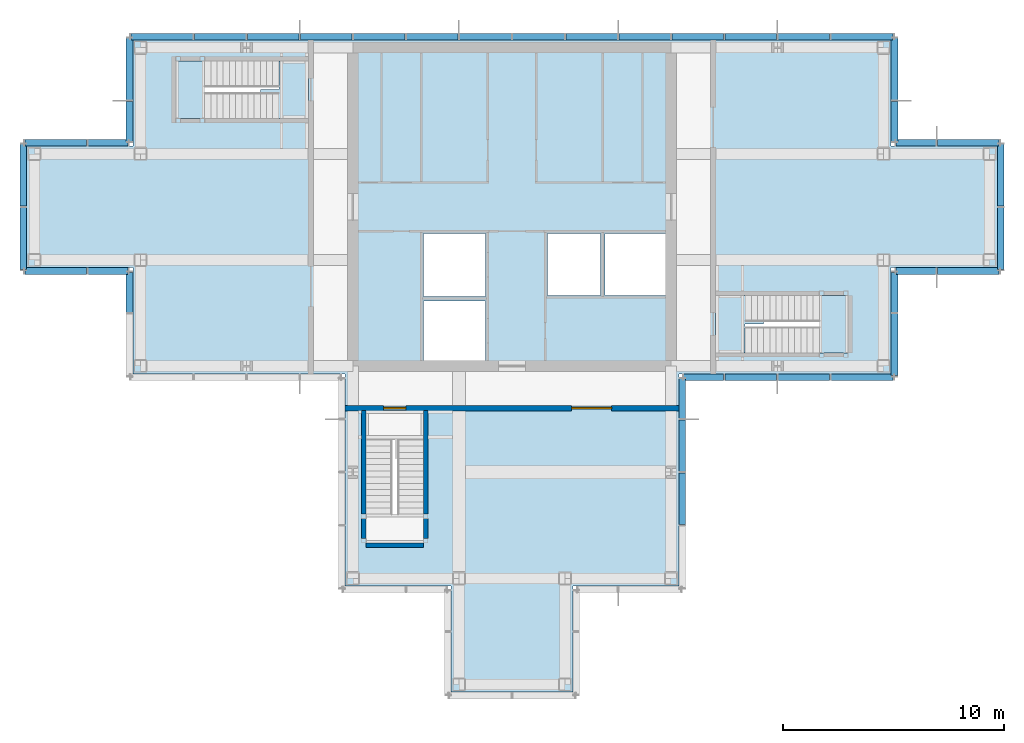
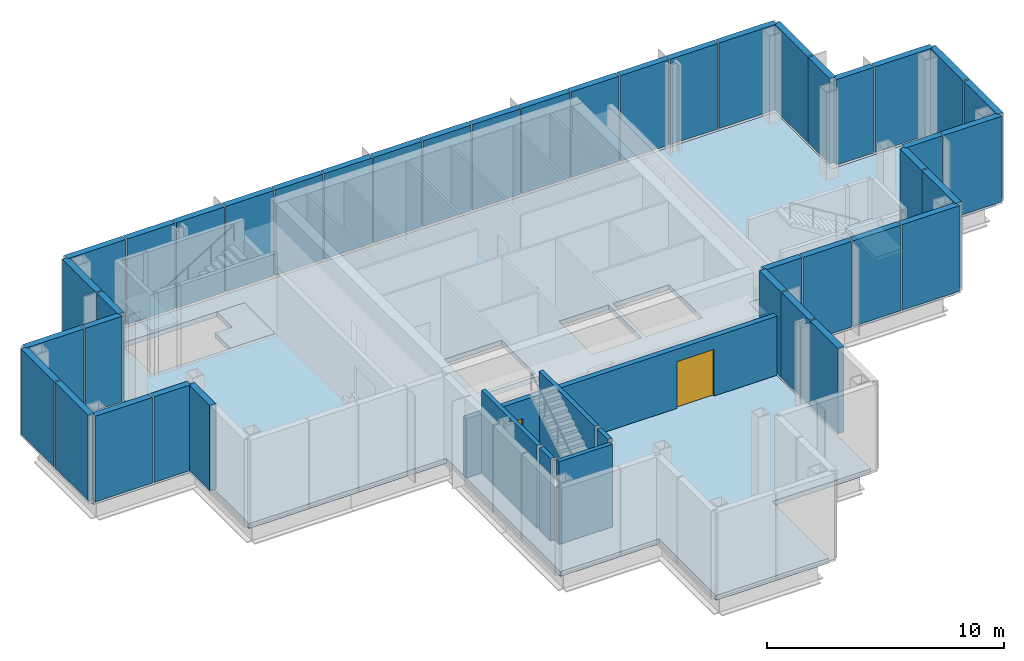
# One storey, part 9 of 12: 40 plates, 6 walls, 5 slabs, 2 doors, 2 openings, 15 elements without a shape of their own.
"""IFC4 building model written with IfcOpenShell, lengths in metres."""

import ifcopenshell
import ifcopenshell.guid

model = None  # the IFC model being written
_history = None  # IfcOwnerHistory: only IFC2X3 demands one
_inside = {}  # id of a spatial element -> (the spatial element, [elements in it])
_under = {}  # id of a project, library or spatial element -> (it, [spatial elements below it])
_declared = {}  # id of a project -> (the project, [libraries it declares])
_typed = {}  # id of a type object -> (the type object, [elements of that type])
_made_of = {}  # id of a material, layer set ... -> (it, [elements and type objects made of it])


def new_model(schema):
    """Start an empty IFC model of exactly this schema.

    Asked for "IFC4X3", IfcOpenShell would pick the latest addendum, in which some entities
    have other attributes; the version numbers below select the first issue.
    IFC2X3 requires an IfcOwnerHistory on every rooted entity: one is made here for all.
    """
    global model, _history
    if schema == "IFC4X3":
        model = ifcopenshell.file(schema_version=(4, 3, 0, 0))
    else:
        model = ifcopenshell.file(schema=schema)
    _inside.clear()
    _under.clear()
    _declared.clear()
    _typed.clear()
    _made_of.clear()
    _history = None
    if model.schema == "IFC2X3":
        org = make("IfcOrganization", Name="unknown")
        user = make(
            "IfcPersonAndOrganization",
            ThePerson=make("IfcPerson", FamilyName="unknown"),
            TheOrganization=org,
        )
        app = make(
            "IfcApplication",
            ApplicationDeveloper=org,
            Version="unknown",
            ApplicationFullName="unknown",
            ApplicationIdentifier="unknown",
        )
        _history = make(
            "IfcOwnerHistory",
            OwningUser=user,
            OwningApplication=app,
            ChangeAction="ADDED",
            CreationDate=0,
        )
    return model


def make(cls, **values):
    """One entity of the class cls with the attributes given. An attribute that is None is left unset."""
    return model.create_entity(
        cls, **{name: value for name, value in values.items() if value is not None}
    )


def rooted(cls, **values):
    """An entity with a GlobalId (a new one), such as an element, a storey or a relation."""
    return make(cls, GlobalId=ifcopenshell.guid.new(), OwnerHistory=_history, **values)


def si_unit(unit_type, name, prefix=None):
    """IfcSIUnit, for example si_unit("LENGTHUNIT", "METRE", prefix="MILLI")."""
    return make("IfcSIUnit", UnitType=unit_type, Prefix=prefix, Name=name)


def assignment(units):
    """IfcUnitAssignment: the units of a project."""
    return None if units is None else make("IfcUnitAssignment", Units=units)


def point(xyz):
    """IfcCartesianPoint."""
    return None if xyz is None else make("IfcCartesianPoint", Coordinates=xyz)


def direction(xyz):
    """IfcDirection."""
    return None if xyz is None else make("IfcDirection", DirectionRatios=xyz)


def frame(location, z_axis=None, x_axis=None):
    """IfcAxis2Placement3D, a coordinate frame: its origin and axes. An axis left out is left unset."""
    return make(
        "IfcAxis2Placement3D",
        Location=point(location),
        Axis=direction(z_axis),
        RefDirection=direction(x_axis),
    )


def frame_2d(location, x_axis=None):
    """IfcAxis2Placement2D, a coordinate frame in the plane: its origin and x axis."""
    return make(
        "IfcAxis2Placement2D", Location=point(location), RefDirection=direction(x_axis)
    )


def origin():
    """The frame at (0, 0, 0) with its axes left unset."""
    return frame((0.0, 0.0, 0.0))


def origin_2d():
    """The frame at (0, 0) in the plane with its x axis left unset."""
    return frame_2d((0.0, 0.0))


def place(relative_to, where):
    """IfcLocalPlacement: puts the frame where relative to a parent placement (None: the world)."""
    return make(
        "IfcLocalPlacement", PlacementRelTo=relative_to, RelativePlacement=where
    )


def context(
    kind, dimensions, precision=None, world=None, true_north=None, identifier=None
):
    """IfcGeometricRepresentationContext, for example the 3D "Model" context."""
    return make(
        "IfcGeometricRepresentationContext",
        ContextIdentifier=identifier,
        ContextType=kind,
        CoordinateSpaceDimension=dimensions,
        Precision=precision,
        WorldCoordinateSystem=world,
        TrueNorth=true_north,
    )


def subcontext(parent, identifier, kind, view, scale=None):
    """IfcGeometricRepresentationSubContext, for example "Body" below "Model"."""
    return make(
        "IfcGeometricRepresentationSubContext",
        ContextIdentifier=identifier,
        ContextType=kind,
        ParentContext=parent,
        TargetScale=scale,
        TargetView=view,
    )


def project(units=None, contexts=None):
    """IfcProject with its units and contexts."""
    return rooted(
        "IfcProject",
        Name="project",
        RepresentationContexts=contexts,
        UnitsInContext=assignment(units),
    )


def spatial(cls, under=None, at=None, **own):
    """A site, building, storey or space (cls), placed at a placement, below another one or the project."""
    s = rooted(cls, ObjectPlacement=at, **own)
    if under is not None:
        _under.setdefault(under.id(), (under, []))[1].append(s)
    return s


def polyline(points):
    """IfcPolyline through the points."""
    return make("IfcPolyline", Points=[point(p) for p in points])


def profile(cls, at=None, kind="AREA", **sizes):
    """A parametric profile (cls). Its sizes go by their IFC names, for example OverallWidth=200.0."""
    return make(cls, ProfileType=kind, Position=at, **sizes)


def rectangle(**sizes):
    """IfcRectangleProfileDef."""
    return profile("IfcRectangleProfileDef", **sizes)


def outline(outer, holes=None, kind="AREA"):
    """IfcArbitraryClosedProfileDef: a profile drawn as a closed curve; with holes, ...WithVoids."""
    if holes is None:
        return make("IfcArbitraryClosedProfileDef", ProfileType=kind, OuterCurve=outer)
    return make(
        "IfcArbitraryProfileDefWithVoids",
        ProfileType=kind,
        OuterCurve=outer,
        InnerCurves=holes,
    )


def extrude(swept, where, along, depth):
    """IfcExtrudedAreaSolid: the profile swept, set in the frame where, extruded along a direction by depth."""
    return make(
        "IfcExtrudedAreaSolid",
        SweptArea=swept,
        Position=where,
        ExtrudedDirection=direction(along),
        Depth=depth,
    )


def shape(context_of_items, identifier, shape_type, items):
    """IfcShapeRepresentation: the items that make up one representation, for example the "Body"."""
    return make(
        "IfcShapeRepresentation",
        ContextOfItems=context_of_items,
        RepresentationIdentifier=identifier,
        RepresentationType=shape_type,
        Items=items,
    )


def material(Name=None, Category=None):
    """IfcMaterial."""
    return make("IfcMaterial", Name=Name, Category=Category)


def layer(
    of_material, thickness, ventilated=None, Name=None, Category=None, Priority=None
):
    """IfcMaterialLayer: one layer of a wall or slab, of a material (None: an air gap)."""
    return make(
        "IfcMaterialLayer",
        Material=of_material,
        LayerThickness=thickness,
        IsVentilated=ventilated,
        Name=Name,
        Category=Category,
        Priority=Priority,
    )


def layer_set(layers, Name=None):
    """IfcMaterialLayerSet."""
    return make("IfcMaterialLayerSet", MaterialLayers=layers, LayerSetName=Name)


def made_of(thing, what):
    """Note that an element or type object is made of a material, layer set ...; save() writes the relation."""
    if what is not None:
        _made_of.setdefault(what.id(), (what, []))[1].append(thing)
    return thing


def type_object(cls, material=None, **own):
    """A type object (cls), such as IfcWallType, which elements share."""
    return made_of(rooted(cls, **own), material)


def element(
    cls,
    number,
    at=None,
    inside=None,
    cuts=None,
    type_object=None,
    material=None,
    context=None,
    identifier="Body",
    shape_type=None,
    held_by="IfcProductDefinitionShape",
    body=None,
    shapes=None,
    **own,
):
    """One element of the class cls, such as IfcWall. Its Tag is "e" and its number.

    at: its placement. inside: the storey or other place that contains it. cuts: it is an
    opening in that element (IfcRelVoidsElement). A single representation is given by context,
    identifier, shape_type and body (its items); several are given by shapes. held_by: the class
    of the entity that holds the representations. save() writes the other relations.
    """
    e = rooted(cls, Tag="e%d" % number, ObjectPlacement=at, **own)
    if body is not None:
        shapes = [shape(context, identifier, shape_type, body)]
    if shapes is not None:
        e.Representation = make(held_by, Representations=shapes)
    if inside is not None:
        _inside.setdefault(inside.id(), (inside, []))[1].append(e)
    if cuts is not None:
        rooted(
            "IfcRelVoidsElement", RelatingBuildingElement=cuts, RelatedOpeningElement=e
        )
    if type_object is not None:
        _typed.setdefault(type_object.id(), (type_object, []))[1].append(e)
    return made_of(e, material)


def fill(opening, filler):
    """IfcRelFillsElement: the door or window that sits in an opening."""
    return rooted(
        "IfcRelFillsElement",
        RelatingOpeningElement=opening,
        RelatedBuildingElement=filler,
    )


def aggregate(whole, parts):
    """IfcRelAggregates: a whole, such as a stair, and the parts it consists of."""
    return rooted("IfcRelAggregates", RelatingObject=whole, RelatedObjects=parts)


def save(model, path):
    """Write the relations noted so far, then the file.

    IfcRelAggregates (storeys below a building ...), IfcRelContainedInSpatialStructure (elements
    in a storey), IfcRelDefinesByType, IfcRelAssociatesMaterial and IfcRelDeclares: one each for
    every whole, place, type object, material and project.
    """
    for whole, parts in _under.values():
        aggregate(whole, parts)
    for where, things in _inside.values():
        rooted(
            "IfcRelContainedInSpatialStructure",
            RelatedElements=things,
            RelatingStructure=where,
        )
    for kind, things in _typed.values():
        rooted("IfcRelDefinesByType", RelatedObjects=things, RelatingType=kind)
    for what, things in _made_of.values():
        rooted("IfcRelAssociatesMaterial", RelatedObjects=things, RelatingMaterial=what)
    for by, libraries in _declared.values():
        rooted("IfcRelDeclares", RelatingContext=by, RelatedDefinitions=libraries)
    model.write(path)


model = new_model("IFC4")

# Units and contexts
model_context = context("Model", 3, precision=1e-05, world=origin(), true_north=direction((0.0, 1.0)))
body_context = subcontext(model_context, "Body", "Model", "MODEL_VIEW")
ifc_project = project(units=[si_unit("LENGTHUNIT", "METRE"), si_unit("AREAUNIT", "SQUARE_METRE"), si_unit("VOLUMEUNIT", "CUBIC_METRE"), si_unit("PLANEANGLEUNIT", "RADIAN"), si_unit("MASSUNIT", "GRAM", prefix="KILO")], contexts=[model_context])

# Site, building, storey
site_placement = place(None, origin())
site = spatial("IfcSite", under=ifc_project, at=site_placement, CompositionType="ELEMENT")
building_placement = place(site_placement, origin())
building = spatial("IfcBuilding", under=site, at=building_placement, Name="Kvirike Care Tower", CompositionType="ELEMENT")
storey_placement = place(building_placement, frame((0.0, 0.0, 243.5)))
storey = spatial("IfcBuildingStorey", under=building, at=storey_placement, Name="L67", CompositionType="ELEMENT", Elevation=243.5)

# Curtain wall, plates
ifc_material_1 = material(Name="Anodised aluminium stick system", Category="aluminium")
curtain_wall_type = type_object("IfcCurtainWallType", Name="CW-L LOUVRED PLANT SCREEN", PredefinedType="NOTDEFINED", material=ifc_material_1)
curtain_wall_1_placement = place(storey_placement, origin())
curtain_wall_1 = element("IfcCurtainWall", 1, at=curtain_wall_1_placement, inside=storey, type_object=curtain_wall_type, Name="Curtain wall L67 face 1", PredefinedType="NOTDEFINED")
ifc_material_2 = material(Name="Bronze anodised aluminium louvre", Category="aluminium")
ifc_layer_1 = layer(ifc_material_2, 0.300048828125)
ifc_layer_set_1 = layer_set([ifc_layer_1], Name="BRONZE LOUVRE PANEL")
plate_type = type_object("IfcPlateType", Name="BRONZE LOUVRE PANEL", PredefinedType="CURTAIN_PANEL", material=ifc_layer_set_1)
plate_1_placement = place(storey_placement, frame((30.266357421875, 28.300048828125, 0.10009765625), z_axis=(0.0, 0.0, 1.0), x_axis=(1.0, 0.0, 0.0)))
plate_1 = element("IfcPlate", 2, at=plate_1_placement, type_object=plate_type, Name="CW-L panel L67 face 1.1", PredefinedType="CURTAIN_PANEL", context=body_context, shape_type="SweptSolid", body=[
    extrude(rectangle(XDim=1.802490234375, YDim=0.300048828125, at=origin_2d()), origin(), (0.0, 0.0, 1.0), 4.39990234375),
])
plate_2_placement = place(storey_placement, frame((32.39990234375, 28.300048828125, 0.10009765625), z_axis=(0.0, 0.0, 1.0), x_axis=(1.0, 0.0, 0.0)))
plate_2 = element("IfcPlate", 3, at=plate_2_placement, type_object=plate_type, Name="CW-L panel L67 face 1.2", PredefinedType="CURTAIN_PANEL", context=body_context, shape_type="SweptSolid", body=[
    extrude(rectangle(XDim=2.3349609375, YDim=0.300048828125, at=origin_2d()), origin(), (0.0, 0.0, 1.0), 4.39990234375),
])
plate_3_placement = place(storey_placement, frame((34.800048828125, 28.300048828125, 0.10009765625), z_axis=(0.0, 0.0, 1.0), x_axis=(1.0, 0.0, 0.0)))
plate_3 = element("IfcPlate", 4, at=plate_3_placement, type_object=plate_type, Name="CW-L panel L67 face 1.3", PredefinedType="CURTAIN_PANEL", context=body_context, shape_type="SweptSolid", body=[
    extrude(rectangle(XDim=2.3349609375, YDim=0.300048828125, at=origin_2d()), origin(), (0.0, 0.0, 1.0), 4.39990234375),
])
plate_4_placement = place(storey_placement, frame((37.433837890625, 28.300048828125, 0.10009765625), z_axis=(0.0, 0.0, 1.0), x_axis=(1.0, 0.0, 0.0)))
plate_4 = element("IfcPlate", 5, at=plate_4_placement, type_object=plate_type, Name="CW-L panel L67 face 1.4", PredefinedType="CURTAIN_PANEL", context=body_context, shape_type="SweptSolid", body=[
    extrude(rectangle(XDim=2.802490234375, YDim=0.300048828125, at=origin_2d()), origin(), (0.0, 0.0, 1.0), 4.39990234375),
])
aggregate(curtain_wall_1, [plate_1, plate_2, plate_3, plate_4])

curtain_wall_2_placement = place(storey_placement, origin())
curtain_wall_2 = element("IfcCurtainWall", 6, at=curtain_wall_2_placement, inside=storey, type_object=curtain_wall_type, Name="Curtain wall L67 face 2", PredefinedType="NOTDEFINED")
plate_5_placement = place(storey_placement, frame((38.89990234375, 29.766357421875, 0.10009765625), z_axis=(0.0, 0.0, 1.0), x_axis=(0.0, 1.0, 0.0)))
plate_5 = element("IfcPlate", 7, at=plate_5_placement, type_object=plate_type, Name="CW-L panel L67 face 2.1", PredefinedType="CURTAIN_PANEL", context=body_context, shape_type="SweptSolid", body=[
    extrude(rectangle(XDim=2.802490234375, YDim=0.300048828125, at=origin_2d()), origin(), (0.0, 0.0, 1.0), 4.39990234375),
])
plate_6_placement = place(storey_placement, frame((38.89990234375, 32.1337890625, 0.10009765625), z_axis=(0.0, 0.0, 1.0), x_axis=(0.0, 1.0, 0.0)))
plate_6 = element("IfcPlate", 8, at=plate_6_placement, type_object=plate_type, Name="CW-L panel L67 face 2.2", PredefinedType="CURTAIN_PANEL", context=body_context, shape_type="SweptSolid", body=[
    extrude(rectangle(XDim=1.802490234375, YDim=0.300048828125, at=origin_2d()), origin(), (0.0, 0.0, 1.0), 4.39990234375),
])
aggregate(curtain_wall_2, [plate_5, plate_6])

curtain_wall_3_placement = place(storey_placement, origin())
curtain_wall_3 = element("IfcCurtainWall", 9, at=curtain_wall_3_placement, inside=storey, type_object=curtain_wall_type, Name="Curtain wall L67 face 3", PredefinedType="NOTDEFINED")
plate_7_placement = place(storey_placement, frame((39.8662109375, 33.10009765625, 0.10009765625), z_axis=(0.0, 0.0, 1.0), x_axis=(1.0, 0.0, 0.0)))
plate_7 = element("IfcPlate", 10, at=plate_7_placement, type_object=plate_type, Name="CW-L panel L67 face 3.1", PredefinedType="CURTAIN_PANEL", context=body_context, shape_type="SweptSolid", body=[
    extrude(rectangle(XDim=1.802490234375, YDim=0.300048828125, at=origin_2d()), origin(), (0.0, 0.0, 1.0), 4.39990234375),
])
plate_8_placement = place(storey_placement, frame((42.233642578125, 33.10009765625, 0.10009765625), z_axis=(0.0, 0.0, 1.0), x_axis=(1.0, 0.0, 0.0)))
plate_8 = element("IfcPlate", 11, at=plate_8_placement, type_object=plate_type, Name="CW-L panel L67 face 3.2", PredefinedType="CURTAIN_PANEL", context=body_context, shape_type="SweptSolid", body=[
    extrude(rectangle(XDim=2.802490234375, YDim=0.300048828125, at=origin_2d()), origin(), (0.0, 0.0, 1.0), 4.39990234375),
])
aggregate(curtain_wall_3, [plate_7, plate_8])

curtain_wall_4_placement = place(storey_placement, origin())
curtain_wall_4 = element("IfcCurtainWall", 12, at=curtain_wall_4_placement, inside=storey, type_object=curtain_wall_type, Name="Curtain wall L67 face 4", PredefinedType="NOTDEFINED")
plate_9_placement = place(storey_placement, frame((43.699951171875, 34.566162109375, 0.10009765625), z_axis=(0.0, 0.0, 1.0), x_axis=(0.0, 1.0, 0.0)))
plate_9 = element("IfcPlate", 13, at=plate_9_placement, type_object=plate_type, Name="CW-L panel L67 face 4.1", PredefinedType="CURTAIN_PANEL", context=body_context, shape_type="SweptSolid", body=[
    extrude(rectangle(XDim=2.802490234375, YDim=0.300048828125, at=origin_2d()), origin(), (0.0, 0.0, 1.0), 4.39990234375),
])
plate_10_placement = place(storey_placement, frame((43.699951171875, 37.433837890625, 0.10009765625), z_axis=(0.0, 0.0, 1.0), x_axis=(0.0, 1.0, 0.0)))
plate_10 = element("IfcPlate", 14, at=plate_10_placement, type_object=plate_type, Name="CW-L panel L67 face 4.2", PredefinedType="CURTAIN_PANEL", context=body_context, shape_type="SweptSolid", body=[
    extrude(rectangle(XDim=2.802490234375, YDim=0.300048828125, at=origin_2d()), origin(), (0.0, 0.0, 1.0), 4.39990234375),
])
aggregate(curtain_wall_4, [plate_9, plate_10])

curtain_wall_5_placement = place(storey_placement, origin())
curtain_wall_5 = element("IfcCurtainWall", 15, at=curtain_wall_5_placement, inside=storey, type_object=curtain_wall_type, Name="Curtain wall L67 face 5", PredefinedType="NOTDEFINED")
plate_11_placement = place(storey_placement, frame((42.233642578125, 38.89990234375, 0.10009765625), z_axis=(0.0, 0.0, 1.0), x_axis=(-1.0, 0.0, 0.0)))
plate_11 = element("IfcPlate", 16, at=plate_11_placement, type_object=plate_type, Name="CW-L panel L67 face 5.1", PredefinedType="CURTAIN_PANEL", context=body_context, shape_type="SweptSolid", body=[
    extrude(rectangle(XDim=2.802490234375, YDim=0.300048828125, at=origin_2d()), origin(), (0.0, 0.0, 1.0), 4.39990234375),
])
plate_12_placement = place(storey_placement, frame((39.8662109375, 38.89990234375, 0.10009765625), z_axis=(0.0, 0.0, 1.0), x_axis=(-1.0, 0.0, 0.0)))
plate_12 = element("IfcPlate", 17, at=plate_12_placement, type_object=plate_type, Name="CW-L panel L67 face 5.2", PredefinedType="CURTAIN_PANEL", context=body_context, shape_type="SweptSolid", body=[
    extrude(rectangle(XDim=1.802490234375, YDim=0.300048828125, at=origin_2d()), origin(), (0.0, 0.0, 1.0), 4.39990234375),
])
aggregate(curtain_wall_5, [plate_11, plate_12])

curtain_wall_6_placement = place(storey_placement, origin())
curtain_wall_6 = element("IfcCurtainWall", 18, at=curtain_wall_6_placement, inside=storey, type_object=curtain_wall_type, Name="Curtain wall L67 face 6", PredefinedType="NOTDEFINED")
plate_13_placement = place(storey_placement, frame((38.89990234375, 39.8662109375, 0.10009765625), z_axis=(0.0, 0.0, 1.0), x_axis=(0.0, 1.0, 0.0)))
plate_13 = element("IfcPlate", 19, at=plate_13_placement, type_object=plate_type, Name="CW-L panel L67 face 6.1", PredefinedType="CURTAIN_PANEL", context=body_context, shape_type="SweptSolid", body=[
    extrude(rectangle(XDim=1.802490234375, YDim=0.300048828125, at=origin_2d()), origin(), (0.0, 0.0, 1.0), 4.39990234375),
])
plate_14_placement = place(storey_placement, frame((38.89990234375, 42.233642578125, 0.10009765625), z_axis=(0.0, 0.0, 1.0), x_axis=(0.0, 1.0, 0.0)))
plate_14 = element("IfcPlate", 20, at=plate_14_placement, type_object=plate_type, Name="CW-L panel L67 face 6.2", PredefinedType="CURTAIN_PANEL", context=body_context, shape_type="SweptSolid", body=[
    extrude(rectangle(XDim=2.802490234375, YDim=0.300048828125, at=origin_2d()), origin(), (0.0, 0.0, 1.0), 4.39990234375),
])
aggregate(curtain_wall_6, [plate_13, plate_14])

curtain_wall_7_placement = place(storey_placement, origin())
curtain_wall_7 = element("IfcCurtainWall", 21, at=curtain_wall_7_placement, inside=storey, type_object=curtain_wall_type, Name="Curtain wall L67 face 7", PredefinedType="NOTDEFINED")
plate_15_placement = place(storey_placement, frame((37.433837890625, 43.699951171875, 0.10009765625), z_axis=(0.0, 0.0, 1.0), x_axis=(-1.0, 0.0, 0.0)))
plate_15 = element("IfcPlate", 22, at=plate_15_placement, type_object=plate_type, Name="CW-L panel L67 face 7.1", PredefinedType="CURTAIN_PANEL", context=body_context, shape_type="SweptSolid", body=[
    extrude(rectangle(XDim=2.802490234375, YDim=0.300048828125, at=origin_2d()), origin(), (0.0, 0.0, 1.0), 4.39990234375),
])
plate_16_placement = place(storey_placement, frame((34.800048828125, 43.699951171875, 0.10009765625), z_axis=(0.0, 0.0, 1.0), x_axis=(-1.0, 0.0, 0.0)))
plate_16 = element("IfcPlate", 23, at=plate_16_placement, type_object=plate_type, Name="CW-L panel L67 face 7.2", PredefinedType="CURTAIN_PANEL", context=body_context, shape_type="SweptSolid", body=[
    extrude(rectangle(XDim=2.3349609375, YDim=0.300048828125, at=origin_2d()), origin(), (0.0, 0.0, 1.0), 4.39990234375),
])
plate_17_placement = place(storey_placement, frame((32.39990234375, 43.699951171875, 0.10009765625), z_axis=(0.0, 0.0, 1.0), x_axis=(-1.0, 0.0, 0.0)))
plate_17 = element("IfcPlate", 24, at=plate_17_placement, type_object=plate_type, Name="CW-L panel L67 face 7.3", PredefinedType="CURTAIN_PANEL", context=body_context, shape_type="SweptSolid", body=[
    extrude(rectangle(XDim=2.3349609375, YDim=0.300048828125, at=origin_2d()), origin(), (0.0, 0.0, 1.0), 4.39990234375),
])
plate_18_placement = place(storey_placement, frame((30.0, 43.699951171875, 0.10009765625), z_axis=(0.0, 0.0, 1.0), x_axis=(-1.0, 0.0, 0.0)))
plate_18 = element("IfcPlate", 25, at=plate_18_placement, type_object=plate_type, Name="CW-L panel L67 face 7.4", PredefinedType="CURTAIN_PANEL", context=body_context, shape_type="SweptSolid", body=[
    extrude(rectangle(XDim=2.3349609375, YDim=0.300048828125, at=origin_2d()), origin(), (0.0, 0.0, 1.0), 4.39990234375),
])
plate_19_placement = place(storey_placement, frame((27.60009765625, 43.699951171875, 0.10009765625), z_axis=(0.0, 0.0, 1.0), x_axis=(-1.0, 0.0, 0.0)))
plate_19 = element("IfcPlate", 26, at=plate_19_placement, type_object=plate_type, Name="CW-L panel L67 face 7.5", PredefinedType="CURTAIN_PANEL", context=body_context, shape_type="SweptSolid", body=[
    extrude(rectangle(XDim=2.3349609375, YDim=0.300048828125, at=origin_2d()), origin(), (0.0, 0.0, 1.0), 4.39990234375),
])
plate_20_placement = place(storey_placement, frame((25.199951171875, 43.699951171875, 0.10009765625), z_axis=(0.0, 0.0, 1.0), x_axis=(-1.0, 0.0, 0.0)))
plate_20 = element("IfcPlate", 27, at=plate_20_placement, type_object=plate_type, Name="CW-L panel L67 face 7.6", PredefinedType="CURTAIN_PANEL", context=body_context, shape_type="SweptSolid", body=[
    extrude(rectangle(XDim=2.3349609375, YDim=0.300048828125, at=origin_2d()), origin(), (0.0, 0.0, 1.0), 4.39990234375),
])
plate_21_placement = place(storey_placement, frame((22.800048828125, 43.699951171875, 0.10009765625), z_axis=(0.0, 0.0, 1.0), x_axis=(-1.0, 0.0, 0.0)))
plate_21 = element("IfcPlate", 28, at=plate_21_placement, type_object=plate_type, Name="CW-L panel L67 face 7.7", PredefinedType="CURTAIN_PANEL", context=body_context, shape_type="SweptSolid", body=[
    extrude(rectangle(XDim=2.3349609375, YDim=0.300048828125, at=origin_2d()), origin(), (0.0, 0.0, 1.0), 4.39990234375),
])
plate_22_placement = place(storey_placement, frame((20.39990234375, 43.699951171875, 0.10009765625), z_axis=(0.0, 0.0, 1.0), x_axis=(-1.0, 0.0, 0.0)))
plate_22 = element("IfcPlate", 29, at=plate_22_placement, type_object=plate_type, Name="CW-L panel L67 face 7.8", PredefinedType="CURTAIN_PANEL", context=body_context, shape_type="SweptSolid", body=[
    extrude(rectangle(XDim=2.3349609375, YDim=0.300048828125, at=origin_2d()), origin(), (0.0, 0.0, 1.0), 4.39990234375),
])
plate_23_placement = place(storey_placement, frame((18.0, 43.699951171875, 0.10009765625), z_axis=(0.0, 0.0, 1.0), x_axis=(-1.0, 0.0, 0.0)))
plate_23 = element("IfcPlate", 30, at=plate_23_placement, type_object=plate_type, Name="CW-L panel L67 face 7.9", PredefinedType="CURTAIN_PANEL", context=body_context, shape_type="SweptSolid", body=[
    extrude(rectangle(XDim=2.3349609375, YDim=0.300048828125, at=origin_2d()), origin(), (0.0, 0.0, 1.0), 4.39990234375),
])
plate_24_placement = place(storey_placement, frame((15.60009765625, 43.699951171875, 0.10009765625), z_axis=(0.0, 0.0, 1.0), x_axis=(-1.0, 0.0, 0.0)))
plate_24 = element("IfcPlate", 31, at=plate_24_placement, type_object=plate_type, Name="CW-L panel L67 face 7.10", PredefinedType="CURTAIN_PANEL", context=body_context, shape_type="SweptSolid", body=[
    extrude(rectangle(XDim=2.3349609375, YDim=0.300048828125, at=origin_2d()), origin(), (0.0, 0.0, 1.0), 4.39990234375),
])
plate_25_placement = place(storey_placement, frame((13.199951171875, 43.699951171875, 0.10009765625), z_axis=(0.0, 0.0, 1.0), x_axis=(-1.0, 0.0, 0.0)))
plate_25 = element("IfcPlate", 32, at=plate_25_placement, type_object=plate_type, Name="CW-L panel L67 face 7.11", PredefinedType="CURTAIN_PANEL", context=body_context, shape_type="SweptSolid", body=[
    extrude(rectangle(XDim=2.3349609375, YDim=0.300048828125, at=origin_2d()), origin(), (0.0, 0.0, 1.0), 4.39990234375),
])
plate_26_placement = place(storey_placement, frame((10.800048828125, 43.699951171875, 0.10009765625), z_axis=(0.0, 0.0, 1.0), x_axis=(-1.0, 0.0, 0.0)))
plate_26 = element("IfcPlate", 33, at=plate_26_placement, type_object=plate_type, Name="CW-L panel L67 face 7.12", PredefinedType="CURTAIN_PANEL", context=body_context, shape_type="SweptSolid", body=[
    extrude(rectangle(XDim=2.3349609375, YDim=0.300048828125, at=origin_2d()), origin(), (0.0, 0.0, 1.0), 4.39990234375),
])
plate_27_placement = place(storey_placement, frame((8.39990234375, 43.699951171875, 0.10009765625), z_axis=(0.0, 0.0, 1.0), x_axis=(-1.0, 0.0, 0.0)))
plate_27 = element("IfcPlate", 34, at=plate_27_placement, type_object=plate_type, Name="CW-L panel L67 face 7.13", PredefinedType="CURTAIN_PANEL", context=body_context, shape_type="SweptSolid", body=[
    extrude(rectangle(XDim=2.3349609375, YDim=0.300048828125, at=origin_2d()), origin(), (0.0, 0.0, 1.0), 4.39990234375),
])
plate_28_placement = place(storey_placement, frame((5.766357421875, 43.699951171875, 0.10009765625), z_axis=(0.0, 0.0, 1.0), x_axis=(-1.0, 0.0, 0.0)))
plate_28 = element("IfcPlate", 35, at=plate_28_placement, type_object=plate_type, Name="CW-L panel L67 face 7.14", PredefinedType="CURTAIN_PANEL", context=body_context, shape_type="SweptSolid", body=[
    extrude(rectangle(XDim=2.802490234375, YDim=0.300048828125, at=origin_2d()), origin(), (0.0, 0.0, 1.0), 4.39990234375),
])
aggregate(curtain_wall_7, [plate_15, plate_16, plate_17, plate_18, plate_19, plate_20, plate_21, plate_22, plate_23, plate_24, plate_25, plate_26, plate_27, plate_28])

curtain_wall_8_placement = place(storey_placement, origin())
curtain_wall_8 = element("IfcCurtainWall", 36, at=curtain_wall_8_placement, inside=storey, type_object=curtain_wall_type, Name="Curtain wall L67 face 8", PredefinedType="NOTDEFINED")
plate_29_placement = place(storey_placement, frame((4.300048828125, 42.233642578125, 0.10009765625), z_axis=(0.0, 0.0, 1.0), x_axis=(0.0, -1.0, 0.0)))
plate_29 = element("IfcPlate", 37, at=plate_29_placement, type_object=plate_type, Name="CW-L panel L67 face 8.1", PredefinedType="CURTAIN_PANEL", context=body_context, shape_type="SweptSolid", body=[
    extrude(rectangle(XDim=2.802490234375, YDim=0.300048828125, at=origin_2d()), origin(), (0.0, 0.0, 1.0), 4.39990234375),
])
plate_30_placement = place(storey_placement, frame((4.300048828125, 39.8662109375, 0.10009765625), z_axis=(0.0, 0.0, 1.0), x_axis=(0.0, -1.0, 0.0)))
plate_30 = element("IfcPlate", 38, at=plate_30_placement, type_object=plate_type, Name="CW-L panel L67 face 8.2", PredefinedType="CURTAIN_PANEL", context=body_context, shape_type="SweptSolid", body=[
    extrude(rectangle(XDim=1.802490234375, YDim=0.300048828125, at=origin_2d()), origin(), (0.0, 0.0, 1.0), 4.39990234375),
])
aggregate(curtain_wall_8, [plate_29, plate_30])

curtain_wall_9_placement = place(storey_placement, origin())
curtain_wall_9 = element("IfcCurtainWall", 39, at=curtain_wall_9_placement, inside=storey, type_object=curtain_wall_type, Name="Curtain wall L67 face 9", PredefinedType="NOTDEFINED")
plate_31_placement = place(storey_placement, frame((3.333740234375, 38.89990234375, 0.10009765625), z_axis=(0.0, 0.0, 1.0), x_axis=(-1.0, 0.0, 0.0)))
plate_31 = element("IfcPlate", 40, at=plate_31_placement, type_object=plate_type, Name="CW-L panel L67 face 9.1", PredefinedType="CURTAIN_PANEL", context=body_context, shape_type="SweptSolid", body=[
    extrude(rectangle(XDim=1.802490234375, YDim=0.300048828125, at=origin_2d()), origin(), (0.0, 0.0, 1.0), 4.39990234375),
])
plate_32_placement = place(storey_placement, frame((0.96630859375, 38.89990234375, 0.10009765625), z_axis=(0.0, 0.0, 1.0), x_axis=(-1.0, 0.0, 0.0)))
plate_32 = element("IfcPlate", 41, at=plate_32_placement, type_object=plate_type, Name="CW-L panel L67 face 9.2", PredefinedType="CURTAIN_PANEL", context=body_context, shape_type="SweptSolid", body=[
    extrude(rectangle(XDim=2.802490234375, YDim=0.300048828125, at=origin_2d()), origin(), (0.0, 0.0, 1.0), 4.39990234375),
])
aggregate(curtain_wall_9, [plate_31, plate_32])

curtain_wall_10_placement = place(storey_placement, origin())
curtain_wall_10 = element("IfcCurtainWall", 42, at=curtain_wall_10_placement, inside=storey, type_object=curtain_wall_type, Name="Curtain wall L67 face 10", PredefinedType="NOTDEFINED")
plate_33_placement = place(storey_placement, frame((-0.5, 37.433837890625, 0.10009765625), z_axis=(0.0, 0.0, 1.0), x_axis=(0.0, -1.0, 0.0)))
plate_33 = element("IfcPlate", 43, at=plate_33_placement, type_object=plate_type, Name="CW-L panel L67 face 10.1", PredefinedType="CURTAIN_PANEL", context=body_context, shape_type="SweptSolid", body=[
    extrude(rectangle(XDim=2.802490234375, YDim=0.300048828125, at=origin_2d()), origin(), (0.0, 0.0, 1.0), 4.39990234375),
])
plate_34_placement = place(storey_placement, frame((-0.5, 34.566162109375, 0.10009765625), z_axis=(0.0, 0.0, 1.0), x_axis=(0.0, -1.0, 0.0)))
plate_34 = element("IfcPlate", 44, at=plate_34_placement, type_object=plate_type, Name="CW-L panel L67 face 10.2", PredefinedType="CURTAIN_PANEL", context=body_context, shape_type="SweptSolid", body=[
    extrude(rectangle(XDim=2.802490234375, YDim=0.300048828125, at=origin_2d()), origin(), (0.0, 0.0, 1.0), 4.39990234375),
])
aggregate(curtain_wall_10, [plate_33, plate_34])

curtain_wall_11_placement = place(storey_placement, origin())
curtain_wall_11 = element("IfcCurtainWall", 45, at=curtain_wall_11_placement, inside=storey, type_object=curtain_wall_type, Name="Curtain wall L67 face 11", PredefinedType="NOTDEFINED")
plate_35_placement = place(storey_placement, frame((0.96630859375, 33.10009765625, 0.10009765625), z_axis=(0.0, 0.0, 1.0), x_axis=(1.0, 0.0, 0.0)))
plate_35 = element("IfcPlate", 46, at=plate_35_placement, type_object=plate_type, Name="CW-L panel L67 face 11.1", PredefinedType="CURTAIN_PANEL", context=body_context, shape_type="SweptSolid", body=[
    extrude(rectangle(XDim=2.802490234375, YDim=0.300048828125, at=origin_2d()), origin(), (0.0, 0.0, 1.0), 4.39990234375),
])
plate_36_placement = place(storey_placement, frame((3.333740234375, 33.10009765625, 0.10009765625), z_axis=(0.0, 0.0, 1.0), x_axis=(1.0, 0.0, 0.0)))
plate_36 = element("IfcPlate", 47, at=plate_36_placement, type_object=plate_type, Name="CW-L panel L67 face 11.2", PredefinedType="CURTAIN_PANEL", context=body_context, shape_type="SweptSolid", body=[
    extrude(rectangle(XDim=1.802490234375, YDim=0.300048828125, at=origin_2d()), origin(), (0.0, 0.0, 1.0), 4.39990234375),
])
aggregate(curtain_wall_11, [plate_35, plate_36])

# Curtain wall, plate
curtain_wall_12_placement = place(storey_placement, origin())
curtain_wall_12 = element("IfcCurtainWall", 48, at=curtain_wall_12_placement, inside=storey, type_object=curtain_wall_type, Name="Curtain wall L67 face 12", PredefinedType="NOTDEFINED")
plate_37_placement = place(storey_placement, frame((4.300048828125, 32.1337890625, 0.10009765625), z_axis=(0.0, 0.0, 1.0), x_axis=(0.0, -1.0, 0.0)))
plate_37 = element("IfcPlate", 49, at=plate_37_placement, type_object=plate_type, Name="CW-L panel L67 face 12.1", PredefinedType="CURTAIN_PANEL", context=body_context, shape_type="SweptSolid", body=[
    extrude(rectangle(XDim=1.802490234375, YDim=0.300048828125, at=origin_2d()), origin(), (0.0, 0.0, 1.0), 4.39990234375),
])
aggregate(curtain_wall_12, [plate_37])

# Curtain wall, plates
curtain_wall_13_placement = place(storey_placement, origin())
curtain_wall_13 = element("IfcCurtainWall", 50, at=curtain_wall_13_placement, inside=storey, type_object=curtain_wall_type, Name="Curtain wall L67 face 20", PredefinedType="NOTDEFINED")
plate_38_placement = place(storey_placement, frame((29.300048828125, 22.800048828125, 0.10009765625), z_axis=(0.0, 0.0, 1.0), x_axis=(0.0, 1.0, 0.0)))
plate_38 = element("IfcPlate", 51, at=plate_38_placement, type_object=plate_type, Name="CW-L panel L67 face 20.2", PredefinedType="CURTAIN_PANEL", context=body_context, shape_type="SweptSolid", body=[
    extrude(rectangle(XDim=2.3349609375, YDim=0.300048828125, at=origin_2d()), origin(), (0.0, 0.0, 1.0), 4.39990234375),
])
plate_39_placement = place(storey_placement, frame((29.300048828125, 25.199951171875, 0.10009765625), z_axis=(0.0, 0.0, 1.0), x_axis=(0.0, 1.0, 0.0)))
plate_39 = element("IfcPlate", 52, at=plate_39_placement, type_object=plate_type, Name="CW-L panel L67 face 20.3", PredefinedType="CURTAIN_PANEL", context=body_context, shape_type="SweptSolid", body=[
    extrude(rectangle(XDim=2.3349609375, YDim=0.300048828125, at=origin_2d()), origin(), (0.0, 0.0, 1.0), 4.39990234375),
])
plate_40_placement = place(storey_placement, frame((29.300048828125, 27.333740234375, 0.10009765625), z_axis=(0.0, 0.0, 1.0), x_axis=(0.0, 1.0, 0.0)))
plate_40 = element("IfcPlate", 53, at=plate_40_placement, type_object=plate_type, Name="CW-L panel L67 face 20.4", PredefinedType="CURTAIN_PANEL", context=body_context, shape_type="SweptSolid", body=[
    extrude(rectangle(XDim=1.802490234375, YDim=0.300048828125, at=origin_2d()), origin(), (0.0, 0.0, 1.0), 4.39990234375),
])
aggregate(curtain_wall_13, [plate_38, plate_39, plate_40])

# Slab
ifc_material_3 = material(Name="Concrete C35/45", Category="concrete")
ifc_layer_2 = layer(ifc_material_3, 0.25)
ifc_layer_set_2 = layer_set([ifc_layer_2], Name="PLANT FLOOR SLAB 250")
slab_type_1 = type_object("IfcSlabType", Name="PLANT FLOOR SLAB 250", PredefinedType="FLOOR", material=ifc_layer_set_2)
slab_1_placement = place(storey_placement, frame((0.0, 0.0, -0.25)))
element("IfcSlab", 54, at=slab_1_placement, inside=storey, type_object=slab_type_1, Name="Floor slab L67", PredefinedType="FLOOR", context=body_context, shape_type="SweptSolid", body=[
    extrude(outline(polyline([(29.14990234375, 28.449951171875), (38.75, 28.449951171875), (38.75, 33.25), (43.550048828125, 33.25), (43.550048828125, 38.75), (38.75, 38.75), (38.75, 43.550048828125), (4.449951171875, 43.550048828125), (4.449951171875, 38.75), (-0.35009765625, 38.75), (-0.35009765625, 33.25), (4.449951171875, 33.25), (4.449951171875, 28.449951171875), (14.050048828125, 28.449951171875), (14.050048828125, 18.85009765625), (18.85009765625, 18.85009765625), (18.85009765625, 14.050048828125), (24.35009765625, 14.050048828125), (24.35009765625, 18.85009765625), (29.14990234375, 18.85009765625), (29.14990234375, 28.449951171875)]), holes=[polyline([(17.60009765625, 29.050048828125), (17.60009765625, 31.75), (20.39990234375, 31.75), (20.39990234375, 29.050048828125), (17.60009765625, 29.050048828125)]), polyline([(17.60009765625, 31.949951171875), (17.60009765625, 34.800048828125), (20.39990234375, 34.800048828125), (20.39990234375, 31.949951171875), (17.60009765625, 31.949951171875)]), polyline([(23.199951171875, 32.0), (23.199951171875, 34.800048828125), (25.60009765625, 34.800048828125), (25.60009765625, 32.0), (23.199951171875, 32.0)]), polyline([(25.800048828125, 32.0), (25.800048828125, 34.800048828125), (28.550048828125, 34.800048828125), (28.550048828125, 32.0), (25.800048828125, 32.0)]), polyline([(12.39990234375, 42.60009765625), (12.39990234375, 40.0), (6.39990234375, 40.0), (6.39990234375, 42.60009765625), (12.39990234375, 42.60009765625)]), polyline([(30.800048828125, 29.39990234375), (30.800048828125, 32.0), (36.800048828125, 32.0), (36.800048828125, 29.39990234375), (30.800048828125, 29.39990234375)]), polyline([(15.0, 26.800048828125), (17.60009765625, 26.800048828125), (17.60009765625, 20.800048828125), (15.0, 20.800048828125), (15.0, 26.800048828125)])]), origin(), (0.0, 0.0, 1.0), 0.25),
])

# Stair, slab
ifc_material_4 = material(Name="Concrete C35/45", Category="concrete")
stair_type = type_object("IfcStairType", Name="STAIR 26 RISERS", PredefinedType="HALF_TURN_STAIR", material=ifc_material_4)
stair_1_placement = place(storey_placement, origin())
stair_1 = element("IfcStair", 55, at=stair_1_placement, inside=storey, type_object=stair_type, Name="Stair 1 L67", PredefinedType="HALF_TURN_STAIR")
ifc_material_5 = material(Name="Concrete C35/45", Category="concrete")
ifc_layer_3 = layer(ifc_material_5, 0.199951171875)
ifc_layer_set_3 = layer_set([ifc_layer_3], Name="STAIR LANDING 200")
slab_type_2 = type_object("IfcSlabType", Name="STAIR LANDING 200", PredefinedType="LANDING", material=ifc_layer_set_3)
slab_2_placement = place(storey_placement, frame((0.0, 0.0, 2.050048828125)))
slab_2 = element("IfcSlab", 56, at=slab_2_placement, type_object=slab_type_2, Name="Stair S1 half landing L67-L68", PredefinedType="LANDING", context=body_context, shape_type="SweptSolid", body=[
    extrude(outline(polyline([(6.39990234375, 42.60009765625), (6.39990234375, 40.0), (7.699951171875, 40.0), (7.699951171875, 42.60009765625), (6.39990234375, 42.60009765625)])), origin(), (0.0, 0.0, 1.0), 0.199951171875),
])

stair_2_placement = place(storey_placement, origin())
stair_2 = element("IfcStair", 57, at=stair_2_placement, inside=storey, type_object=stair_type, Name="Stair 2 L67", PredefinedType="HALF_TURN_STAIR")
slab_3_placement = place(storey_placement, frame((0.0, 0.0, 2.050048828125)))
slab_3 = element("IfcSlab", 58, at=slab_3_placement, type_object=slab_type_2, Name="Stair S2 half landing L67-L68", PredefinedType="LANDING", context=body_context, shape_type="SweptSolid", body=[
    extrude(outline(polyline([(36.800048828125, 29.39990234375), (36.800048828125, 32.0), (35.5, 32.0), (35.5, 29.39990234375), (36.800048828125, 29.39990234375)])), origin(), (0.0, 0.0, 1.0), 0.199951171875),
])

# Slab
ifc_material_6 = material(Name="Concrete C35/45", Category="concrete")
ifc_layer_4 = layer(ifc_material_6, 0.25)
ifc_layer_set_4 = layer_set([ifc_layer_4], Name="STAIR LANDING 250")
slab_type_3 = type_object("IfcSlabType", Name="STAIR LANDING 250", PredefinedType="LANDING", material=ifc_layer_set_4)
slab_4_placement = place(storey_placement, frame((0.0, 0.0, -0.25)))
slab_4 = element("IfcSlab", 59, at=slab_4_placement, type_object=slab_type_3, Name="Stair S1 floor landing L67", PredefinedType="LANDING", context=body_context, shape_type="SweptSolid", body=[
    extrude(outline(polyline([(11.06005859375, 42.60009765625), (11.06005859375, 41.300048828125), (10.219970703125, 41.300048828125), (10.219970703125, 40.0), (12.39990234375, 40.0), (12.39990234375, 42.60009765625), (11.06005859375, 42.60009765625)])), origin(), (0.0, 0.0, 1.0), 0.25),
])

aggregate(stair_1, [slab_4, slab_2])

slab_5_placement = place(storey_placement, frame((0.0, 0.0, -0.25)))
slab_5 = element("IfcSlab", 60, at=slab_5_placement, type_object=slab_type_3, Name="Stair S2 floor landing L67", PredefinedType="LANDING", context=body_context, shape_type="SweptSolid", body=[
    extrude(outline(polyline([(32.139892578125, 29.39990234375), (32.139892578125, 30.699951171875), (32.97998046875, 30.699951171875), (32.97998046875, 32.0), (30.800048828125, 32.0), (30.800048828125, 29.39990234375), (32.139892578125, 29.39990234375)])), origin(), (0.0, 0.0, 1.0), 0.25),
])

aggregate(stair_2, [slab_5, slab_3])

# Wall, openings, doors
ifc_material_7 = material(Name="Concrete blockwork", Category="masonry")
ifc_layer_5 = layer(ifc_material_7, 0.25)
ifc_layer_set_5 = layer_set([ifc_layer_5], Name="PLANT ROOM WALL 250")
wall_type_1 = type_object("IfcWallType", Name="PLANT ROOM WALL 250", PredefinedType="SOLIDWALL", material=ifc_layer_set_5)
wall_1_placement = place(storey_placement, frame((14.050048828125, 26.89990234375, 0.0), z_axis=(0.0, 0.0, 1.0), x_axis=(1.0, 0.0, 0.0)))
wall_1 = element("IfcWall", 61, at=wall_1_placement, inside=storey, type_object=wall_type_1, Name="Plant Room Wall 250 L67", PredefinedType="SOLIDWALL", context=body_context, shape_type="SweptSolid", body=[
    extrude(rectangle(XDim=15.099853515625, YDim=0.25, at=frame_2d((7.5498046875, 0.0))), origin(), (0.0, 0.0, 1.0), 3.0400390625),
])
opening_1_placement = place(wall_1_placement, frame((1.75, 0.0, 0.0)))
opening_1 = element("IfcOpeningElement", 62, at=opening_1_placement, cuts=wall_1, Name="Opening 67-003", PredefinedType="OPENING", context=body_context, shape_type="SweptSolid", body=[
    extrude(rectangle(XDim=1.0, YDim=2.10009765625, at=frame_2d((0.5, 1.050048828125))), frame((0.0, 0.135498046875, 0.0), z_axis=(0.0, -1.0, 0.0), x_axis=(1.0, 0.0, 0.0)), (0.0, 0.0, 1.0), 0.27099609375),
])
opening_2_placement = place(wall_1_placement, frame((10.25, 0.0, 0.0)))
opening_2 = element("IfcOpeningElement", 63, at=opening_2_placement, cuts=wall_1, Name="Opening 67-004", PredefinedType="OPENING", context=body_context, shape_type="SweptSolid", body=[
    extrude(rectangle(XDim=1.800048828125, YDim=2.39990234375, at=frame_2d((0.89990234375, 1.199951171875))), frame((0.0, 0.135498046875, 0.0), z_axis=(0.0, -1.0, 0.0), x_axis=(1.0, 0.0, 0.0)), (0.0, 0.0, 1.0), 0.27099609375),
])
ifc_material_8 = material(Name="Timber door set", Category="wood")
door_type_1 = type_object("IfcDoorType", Name="PLANT ROOM DOOR 1800", OperationType="DOUBLE_DOOR_SINGLE_SWING", PredefinedType="DOOR", material=ifc_material_8)
door_1_placement = place(opening_2_placement, frame((1.800048828125, 0.0, 0.0), z_axis=(0.0, 0.0, 1.0), x_axis=(-1.0, 0.0, 0.0)))
door_1 = element("IfcDoor", 64, at=door_1_placement, inside=storey, type_object=door_type_1, Name="Chiller plant room door", OperationType="DOUBLE_DOOR_SINGLE_SWING", OverallHeight=2.39990234375, OverallWidth=1.800048828125, PredefinedType="DOOR", context=body_context, shape_type="SweptSolid", body=[
    extrude(rectangle(XDim=1.800048828125, YDim=2.39990234375, at=frame_2d((0.89990234375, 1.199951171875))), frame((0.0, 0.031982421875, 0.0), z_axis=(0.0, -1.0, 0.0), x_axis=(1.0, 0.0, 0.0)), (0.0, 0.0, 1.0), 0.06396484375),
])
fill(opening_2, door_1)
ifc_material_9 = material(Name="Timber door set", Category="wood")
door_type_2 = type_object("IfcDoorType", Name="STAIR DOOR 1000", OperationType="SINGLE_SWING_LEFT", PredefinedType="DOOR", material=ifc_material_9)
door_2_placement = place(opening_1_placement, frame((1.0, 0.0, 0.0), z_axis=(0.0, 0.0, 1.0), x_axis=(-1.0, 0.0, 0.0)))
door_2 = element("IfcDoor", 65, at=door_2_placement, inside=storey, type_object=door_type_2, Name="Stair 5 door", OperationType="SINGLE_SWING_RIGHT", OverallHeight=2.10009765625, OverallWidth=1.0, PredefinedType="DOOR", context=body_context, shape_type="SweptSolid", body=[
    extrude(rectangle(XDim=1.0, YDim=2.10009765625, at=frame_2d((0.5, 1.050048828125))), frame((0.0, 0.031982421875, 0.0), z_axis=(0.0, -1.0, 0.0), x_axis=(1.0, 0.0, 0.0)), (0.0, 0.0, 1.0), 0.06396484375),
])
fill(opening_1, door_2)

# Walls
ifc_material_10 = material(Name="Concrete C40/50", Category="concrete")
ifc_layer_6 = layer(ifc_material_10, 0.199951171875)
ifc_layer_set_6 = layer_set([ifc_layer_6], Name="STAIR WALL 200")
wall_type_2 = type_object("IfcWallType", Name="STAIR WALL 200", PredefinedType="SOLIDWALL", material=ifc_layer_set_6)
wall_2_placement = place(storey_placement, frame((14.89990234375, 21.0, 0.0), z_axis=(0.0, 0.0, 1.0), x_axis=(0.0, 1.0, 0.0)))
element("IfcWall", 66, at=wall_2_placement, inside=storey, type_object=wall_type_2, Name="Stair Wall 200 L67", PredefinedType="SOLIDWALL", context=body_context, shape_type="SweptSolid", body=[
    extrude(rectangle(XDim=0.89990234375, YDim=0.199951171875, at=frame_2d((0.449951171875, 0.0))), origin(), (0.0, 0.0, 1.0), 4.25),
])
wall_3_placement = place(storey_placement, frame((14.89990234375, 22.10009765625, 0.0), z_axis=(0.0, 0.0, 1.0), x_axis=(0.0, 1.0, 0.0)))
element("IfcWall", 67, at=wall_3_placement, inside=storey, type_object=wall_type_2, Name="Stair Wall 200 L67", PredefinedType="SOLIDWALL", context=body_context, shape_type="SweptSolid", body=[
    extrude(rectangle(XDim=4.699951171875, YDim=0.199951171875, at=frame_2d((2.35009765625, 0.0))), origin(), (0.0, 0.0, 1.0), 4.25),
])
wall_4_placement = place(storey_placement, frame((17.699951171875, 21.0, 0.0), z_axis=(0.0, 0.0, 1.0), x_axis=(0.0, 1.0, 0.0)))
element("IfcWall", 68, at=wall_4_placement, inside=storey, type_object=wall_type_2, Name="Stair Wall 200 L67", PredefinedType="SOLIDWALL", context=body_context, shape_type="SweptSolid", body=[
    extrude(rectangle(XDim=0.89990234375, YDim=0.199951171875, at=frame_2d((0.449951171875, 0.0))), origin(), (0.0, 0.0, 1.0), 4.25),
])
wall_5_placement = place(storey_placement, frame((17.699951171875, 22.10009765625, 0.0), z_axis=(0.0, 0.0, 1.0), x_axis=(0.0, 1.0, 0.0)))
element("IfcWall", 69, at=wall_5_placement, inside=storey, type_object=wall_type_2, Name="Stair Wall 200 L67", PredefinedType="SOLIDWALL", context=body_context, shape_type="SweptSolid", body=[
    extrude(rectangle(XDim=4.699951171875, YDim=0.199951171875, at=frame_2d((2.35009765625, 0.0))), origin(), (0.0, 0.0, 1.0), 4.25),
])
wall_6_placement = place(storey_placement, frame((15.0, 20.699951171875, 0.0), z_axis=(0.0, 0.0, 1.0), x_axis=(1.0, 0.0, 0.0)))
element("IfcWall", 70, at=wall_6_placement, inside=storey, type_object=wall_type_2, Name="Stair Wall 200 L67", PredefinedType="SOLIDWALL", context=body_context, shape_type="SweptSolid", body=[
    extrude(rectangle(XDim=2.60009765625, YDim=0.199951171875, at=frame_2d((1.300048828125, 0.0))), origin(), (0.0, 0.0, 1.0), 4.25),
])

save(model, "model.ifc")
